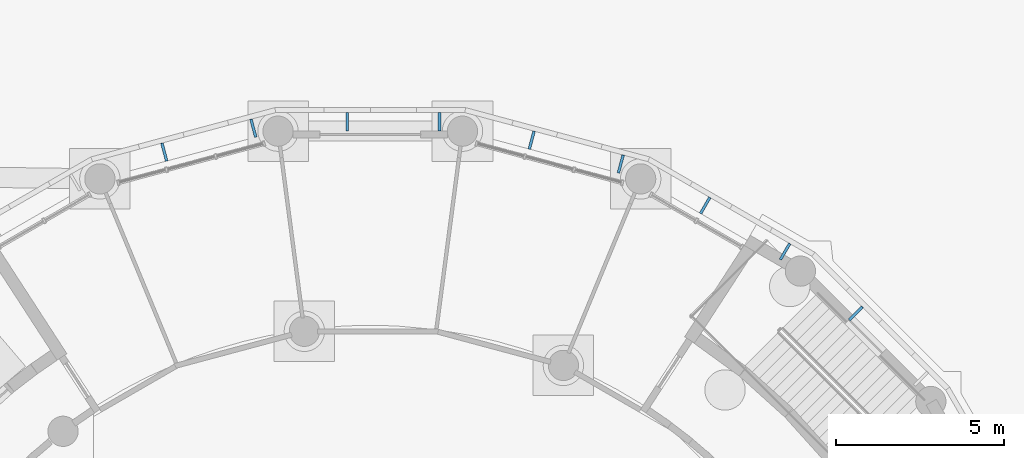
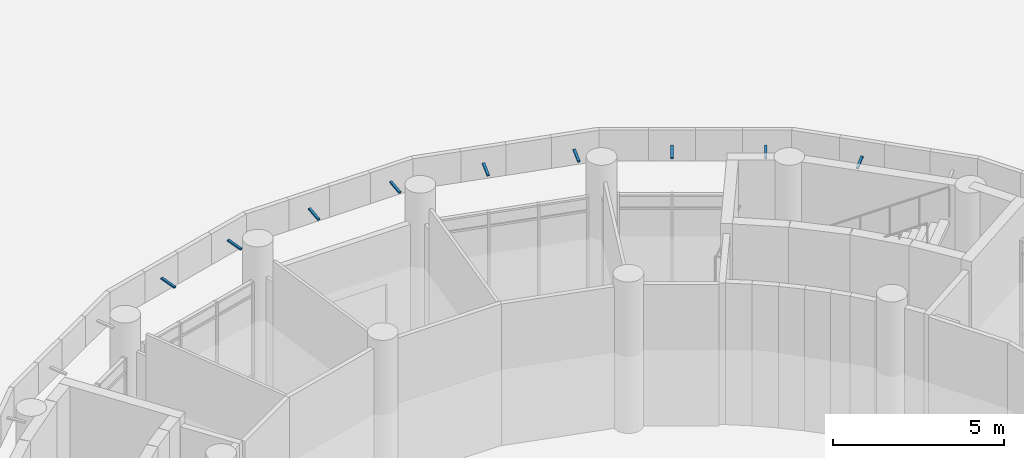
# One storey, part 111 of 146: 9 discrete accessories.
"""IFC4 building model written with IfcOpenShell, lengths in metres."""

from ifc_helpers import new_model, si_unit, direction, frame, origin, origin_2d, place, context, subcontext, project, spatial, rectangle, extrude, material, material_profile, profile_set, type_object, element, save


model = new_model("IFC4")

# Units and contexts
model_context = context("Model", 3, precision=1e-05, world=origin(), true_north=direction((0.0, 1.0)))
body_context = subcontext(model_context, "Body", "Model", "MODEL_VIEW")
ifc_project = project(units=[si_unit("LENGTHUNIT", "METRE"), si_unit("AREAUNIT", "SQUARE_METRE"), si_unit("VOLUMEUNIT", "CUBIC_METRE"), si_unit("PLANEANGLEUNIT", "RADIAN"), si_unit("MASSUNIT", "GRAM", prefix="KILO")], contexts=[model_context])

# Site, building, storey
site_placement = place(None, origin())
site = spatial("IfcSite", under=ifc_project, at=site_placement, CompositionType="ELEMENT")
building_placement = place(site_placement, origin())
building = spatial("IfcBuilding", under=site, at=building_placement, Name="Bougainvillea Quay General Hospital", CompositionType="ELEMENT")
storey_placement = place(building_placement, origin())
storey = spatial("IfcBuildingStorey", under=building, at=storey_placement, Name="L00", CompositionType="ELEMENT", Elevation=0.0)

# Discrete accessories
ifc_material = material(Name="Stainless steel bracket, grade 316", Category="steel")
ifc_material_profile = material_profile(ifc_material, rectangle(XDim=0.080078125, YDim=0.050048828125, at=origin_2d()))
ifc_profile_set = profile_set([ifc_material_profile], Name="Stainless steel bracket, grade 316")
discrete_accessory_type = type_object("IfcDiscreteAccessoryType", Name="Stainless steel stand-off bracket 80x50", PredefinedType="BRACKET", material=ifc_profile_set)
for number, where, z_axis, x_axis, name in (
    (1, (123.4375, 89.20654296875, 5.340087890625), (0.702962071762, 0.702962071762, 0.108114066279), (-0.707106781187, 0.707106781187, 0.0), "Fascia bracket e0 13"),
    (2, (121.390380859375, 91.002685546875, 5.340087890625), (0.497265059771, 0.860837738787, 0.10810109995), (-0.865912065108, 0.500196256984, 0.0), "Fascia bracket e0 15"),
    (3, (119.0166015625, 92.373046875, 5.340087890625), (0.496932825288, 0.861026591596, 0.108124815449), (-0.866104278045, 0.499863360881, 0.0), "Fascia bracket e0 17"),
    (4, (116.57421875, 93.578369140625, 5.340087890625), (0.257278196369, 0.960269906172, 0.108118624546), (-0.965932200741, 0.258795254151, 0.0), "Fascia bracket e0 19"),
    (5, (113.926513671875, 94.287841796875, 5.340087890625), (0.257690216075, 0.9601608051, 0.108106340648), (-0.965821158526, 0.259209355046, 0.0), "Fascia bracket e0 21"),
    (6, (111.255859375, 94.820068359375, 5.340087890625), (0.0, 0.994139309541, 0.108106582706), (-1.0, 0.0, 0.0), "Fascia bracket e0 23"),
    (7, (108.5146484375, 94.820068359375, 5.340087890625), (0.0, 0.994139309541, 0.108106582706), (-1.0, 0.0, 0.0), "Fascia bracket e0 25"),
    (8, (105.797119140625, 94.642578125, 5.340087890625), (-0.257278196369, 0.960269906172, 0.108118624546), (-0.965932200741, -0.258795254151, 0.0), "Fascia bracket e0 27"),
    (9, (103.149658203125, 93.93310546875, 5.340087890625), (-0.257278196369, 0.960269906172, 0.108118624546), (-0.965932200741, -0.258795254151, 0.0), "Fascia bracket e0 29"),
):
    element("IfcDiscreteAccessory", number, at=place(storey_placement, frame(where, z_axis=z_axis, x_axis=x_axis)), inside=storey, type_object=discrete_accessory_type, Name=name, PredefinedType="BRACKET", context=body_context, shape_type="SweptSolid", body=[
        extrude(rectangle(XDim=0.080078125, YDim=0.050048828125, at=origin_2d()), origin(), (0.0, 0.0, 1.0), 0.55322265625),
    ])

save(model, "model.ifc")
